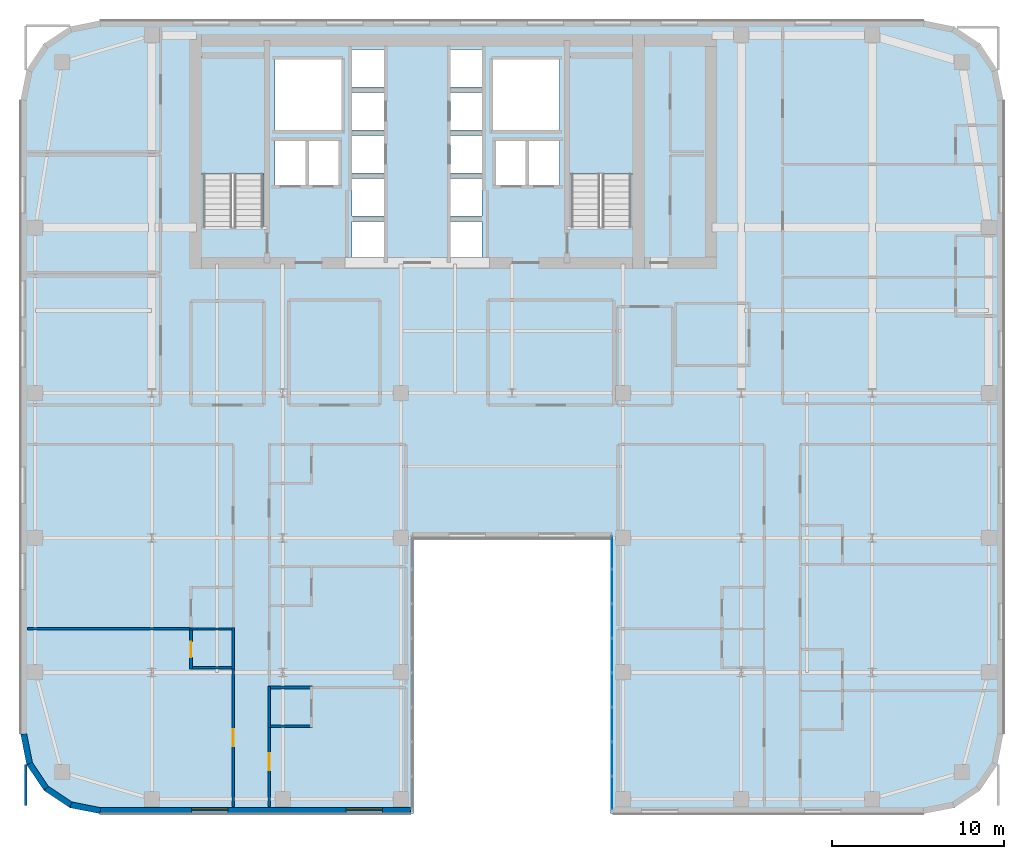
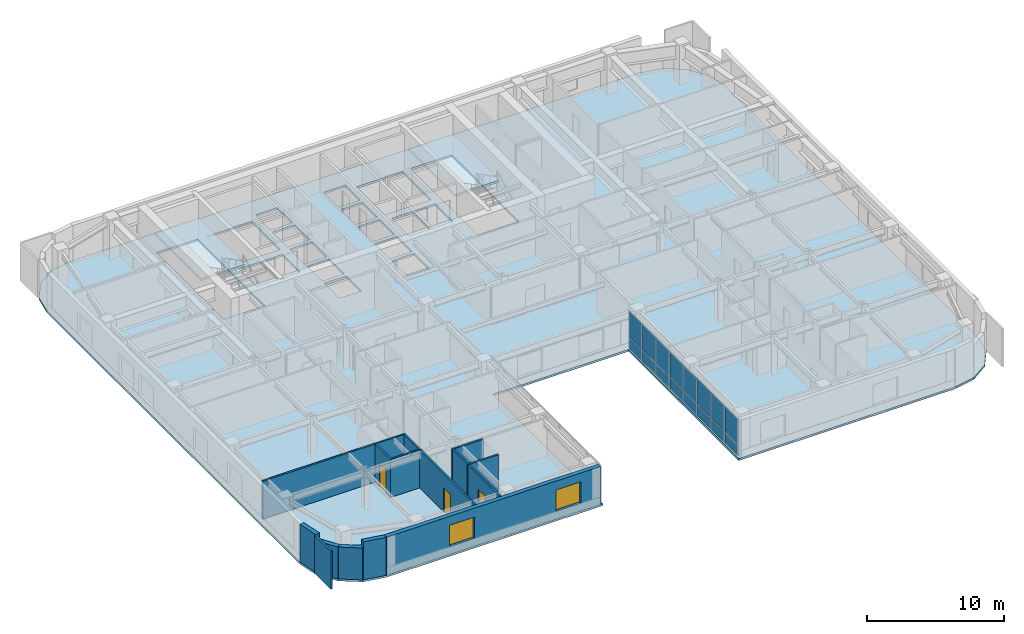
# One storey, part 13 of 24: 16 plates, 16 walls, 3 doors, 3 slabs, 2 windows, 5 openings, 3 elements without a shape of their own.
"""IFC4 building model written with IfcOpenShell, lengths in metres."""

from ifc_helpers import new_model, si_unit, direction, frame, frame_2d, origin, origin_2d, place, context, subcontext, project, spatial, polyline, rectangle, outline, extrude, source, transform, mapped, material, layer, layer_set, type_object, type_shapes, element, fill, aggregate, save


model = new_model("IFC4")

# Units and contexts
model_context = context("Model", 3, precision=1e-05, world=origin(), true_north=direction((0.0, 1.0)))
body_context = subcontext(model_context, "Body", "Model", "MODEL_VIEW")
ifc_project = project(units=[si_unit("LENGTHUNIT", "METRE"), si_unit("AREAUNIT", "SQUARE_METRE"), si_unit("VOLUMEUNIT", "CUBIC_METRE"), si_unit("PLANEANGLEUNIT", "RADIAN"), si_unit("MASSUNIT", "GRAM", prefix="KILO")], contexts=[model_context])

# Site, building, storey
site_placement = place(None, origin())
site = spatial("IfcSite", under=ifc_project, at=site_placement, CompositionType="ELEMENT")
building_placement = place(site_placement, origin())
building = spatial("IfcBuilding", under=site, at=building_placement, Name="Tolvann Quenvar Hotel", CompositionType="ELEMENT")
storey_placement = place(building_placement, frame((0.0, 0.0, 139.949951171875)))
storey = spatial("IfcBuildingStorey", under=building, at=storey_placement, Name="L36", CompositionType="ELEMENT", Elevation=139.949951171875)

# Stair, slab
ifc_material_1 = material(Name="Concrete N40 (40 MPa)", Category="concrete")
stair_type = type_object("IfcStairType", Name="STAIR", PredefinedType="HALF_TURN_STAIR", material=ifc_material_1)
stair_1_placement = place(storey_placement, origin())
stair_1 = element("IfcStair", 1, at=stair_1_placement, inside=storey, type_object=stair_type, Name="L36 ST-C1", PredefinedType="HALF_TURN_STAIR")
ifc_layer_1 = layer(ifc_material_1, 0.199951171875)
ifc_layer_set_1 = layer_set([ifc_layer_1], Name="Concrete N40 (40 MPa)")
slab_type_1 = type_object("IfcSlabType", Name="SLAB_LANDING", PredefinedType="LANDING", material=ifc_layer_set_1)
slab_1_placement = place(storey_placement, frame((0.0, 0.0, 1.574951171875)))
slab_1 = element("IfcSlab", 2, at=slab_1_placement, type_object=slab_type_1, Name="ST-C1 landing 1", PredefinedType="LANDING", context=body_context, shape_type="SweptSolid", body=[
    extrude(outline(polyline([(14.179931640625, 37.10498046875), (14.179931640625, 43.8798828125), (10.469970703125, 43.8798828125), (10.469970703125, 37.10498046875), (14.179931640625, 37.10498046875)])), origin(), (0.0, 0.0, 1.0), 0.2001953125),
])
aggregate(stair_1, [slab_1])

stair_2_placement = place(storey_placement, origin())
stair_2 = element("IfcStair", 3, at=stair_2_placement, inside=storey, type_object=stair_type, Name="L36 ST-C2", PredefinedType="HALF_TURN_STAIR")
slab_2_placement = place(storey_placement, frame((0.0, 0.0, 1.574951171875)))
slab_2 = element("IfcSlab", 4, at=slab_2_placement, type_object=slab_type_1, Name="ST-C2 landing 1", PredefinedType="LANDING", context=body_context, shape_type="SweptSolid", body=[
    extrude(outline(polyline([(35.530029296875, 37.10498046875), (35.530029296875, 43.8798828125), (31.820068359375, 43.8798828125), (31.820068359375, 37.10498046875), (35.530029296875, 37.10498046875)])), origin(), (0.0, 0.0, 1.0), 0.2001953125),
])
aggregate(stair_2, [slab_2])

# Slab
ifc_layer_2 = layer(ifc_material_1, 0.179931640625)
ifc_layer_set_2 = layer_set([ifc_layer_2], Name="Concrete N40 (40 MPa)")
slab_type_2 = type_object("IfcSlabType", Name="SLAB_TWR_180", PredefinedType="FLOOR", material=ifc_layer_set_2)
slab_3_placement = place(storey_placement, frame((0.0, 0.0, -0.179931640625)))
element("IfcSlab", 5, at=slab_3_placement, inside=storey, type_object=slab_type_2, Name="Level L36 Structural Floor Slab", PredefinedType="FLOOR", context=body_context, shape_type="SweptSolid", body=[
    extrude(outline(polyline([(0.0, 4.60009765625), (0.35009765625, 2.839599609375), (1.347412109375, 1.347412109375), (2.839599609375, 0.35009765625), (4.60009765625, 0.0), (22.800048828125, 0.0), (22.800048828125, 16.0), (34.199951171875, 16.0), (34.199951171875, 0.0), (52.39990234375, 0.0), (54.160400390625, 0.35009765625), (55.652587890625, 1.347412109375), (56.64990234375, 2.839599609375), (57.0, 4.60009765625), (57.0, 41.39990234375), (56.64990234375, 43.160400390625), (55.652587890625, 44.652587890625), (54.160400390625, 45.64990234375), (52.39990234375, 46.0), (4.60009765625, 46.0), (2.839599609375, 45.64990234375), (1.347412109375, 44.652587890625), (0.35009765625, 43.160400390625), (0.0, 41.39990234375), (0.0, 4.60009765625)]), holes=[polyline([(31.949951171875, 34.02490234375), (31.949951171875, 43.800048828125), (35.39990234375, 43.800048828125), (35.39990234375, 34.02490234375), (31.949951171875, 34.02490234375)]), polyline([(29.449951171875, 39.02001953125), (31.25, 39.02001953125), (31.25, 36.47998046875), (29.449951171875, 36.47998046875), (29.449951171875, 39.02001953125)]), polyline([(31.25, 43.75), (31.25, 39.64990234375), (27.39990234375, 39.64990234375), (27.39990234375, 43.75), (31.25, 43.75)]), polyline([(27.574951171875, 39.02001953125), (29.324951171875, 39.02001953125), (29.324951171875, 36.47998046875), (27.574951171875, 36.47998046875), (27.574951171875, 39.02001953125)]), polyline([(26.77001953125, 44.340087890625), (26.77001953125, 42.159912109375), (24.929931640625, 42.159912109375), (24.929931640625, 44.340087890625), (26.77001953125, 44.340087890625)]), polyline([(24.929931640625, 41.840087890625), (26.77001953125, 41.840087890625), (26.77001953125, 39.659912109375), (24.929931640625, 39.659912109375), (24.929931640625, 41.840087890625)]), polyline([(24.929931640625, 39.340087890625), (26.77001953125, 39.340087890625), (26.77001953125, 37.159912109375), (24.929931640625, 37.159912109375), (24.929931640625, 39.340087890625)]), polyline([(24.929931640625, 36.840087890625), (26.77001953125, 36.840087890625), (26.77001953125, 34.659912109375), (24.929931640625, 34.659912109375), (24.929931640625, 36.840087890625)]), polyline([(24.929931640625, 34.340087890625), (26.77001953125, 34.340087890625), (26.77001953125, 32.159912109375), (24.929931640625, 32.159912109375), (24.929931640625, 34.340087890625)]), polyline([(21.070068359375, 44.340087890625), (21.070068359375, 42.159912109375), (19.22998046875, 42.159912109375), (19.22998046875, 44.340087890625), (21.070068359375, 44.340087890625)]), polyline([(19.22998046875, 41.840087890625), (21.070068359375, 41.840087890625), (21.070068359375, 39.659912109375), (19.22998046875, 39.659912109375), (19.22998046875, 41.840087890625)]), polyline([(19.22998046875, 39.340087890625), (21.070068359375, 39.340087890625), (21.070068359375, 37.159912109375), (19.22998046875, 37.159912109375), (19.22998046875, 39.340087890625)]), polyline([(19.22998046875, 36.840087890625), (21.070068359375, 36.840087890625), (21.070068359375, 34.659912109375), (19.22998046875, 34.659912109375), (19.22998046875, 36.840087890625)]), polyline([(19.22998046875, 34.340087890625), (21.070068359375, 34.340087890625), (21.070068359375, 32.159912109375), (19.22998046875, 32.159912109375), (19.22998046875, 34.340087890625)]), polyline([(18.60009765625, 43.75), (18.60009765625, 39.64990234375), (14.75, 39.64990234375), (14.75, 43.75), (18.60009765625, 43.75)]), polyline([(16.675048828125, 39.02001953125), (18.425048828125, 39.02001953125), (18.425048828125, 36.47998046875), (16.675048828125, 36.47998046875), (16.675048828125, 39.02001953125)]), polyline([(14.75, 39.02001953125), (16.550048828125, 39.02001953125), (16.550048828125, 36.47998046875), (14.75, 36.47998046875), (14.75, 39.02001953125)]), polyline([(10.60009765625, 34.02490234375), (10.60009765625, 43.800048828125), (14.050048828125, 43.800048828125), (14.050048828125, 34.02490234375), (10.60009765625, 34.02490234375)])]), origin(), (0.0, 0.0, 1.0), 0.179931640625),
])

# Curtain wall, plates
ifc_material_2 = material(Name="Thermally broken anodised architectural aluminium 6063-T6 and laminated low-E glass", Category="aluminium")
ifc_layer_3 = layer(ifc_material_2, 0.179931640625)
ifc_layer_set_3 = layer_set([ifc_layer_3], Name="Thermally broken anodised architectural aluminium 6063-T6 and laminated low-E glass")
curtain_wall_type = type_object("IfcCurtainWallType", Name="CW_SYS_SLOT_03", PredefinedType="USERDEFINED", material=ifc_layer_set_3)
curtain_wall_placement = place(storey_placement, origin())
curtain_wall = element("IfcCurtainWall", 6, at=curtain_wall_placement, inside=storey, type_object=curtain_wall_type, Name="Curtain Wall CW-SLOT-03 (CWR-L36-E07)", ObjectType="UNITISED CURTAIN WALL", PredefinedType="USERDEFINED")
ifc_material_3 = material(Name="Low-iron laminated double glazing with solar-control coating", Category="glass")
ifc_layer_4 = layer(ifc_material_3, 0.028076171875)
ifc_layer_set_4 = layer_set([ifc_layer_4], Name="Low-iron laminated double glazing with solar-control coating")
plate_type = type_object("IfcPlateType", Name="CW_PAN_VISION_28", PredefinedType="CURTAIN_PANEL", material=ifc_layer_set_4)
shared_shape_1 = source(origin(), body_context, "Body", "SweptSolid", [
    extrude(rectangle(XDim=1.89501953125, YDim=0.028076171875, at=origin_2d()), origin(), (0.0, 0.0, 1.0), 0.9599609375),
])
plate_1_placement = place(storey_placement, frame((34.2900390625, 15.157470703125, 0.06005859375), z_axis=(0.0, 0.0, 1.0), x_axis=(0.0, -1.0, 0.0)))
plate_1 = element("IfcPlate", 7, at=plate_1_placement, type_object=plate_type, Name="CW-SLOT-03 panel 1.1", PredefinedType="CURTAIN_PANEL", context=body_context, shape_type="MappedRepresentation", body=[
    mapped(shared_shape_1, transform((0.0, 0.0, 0.0), x_axis=(1.0, 0.0, 0.0), y_axis=(0.0, 1.0, 0.0), z_axis=(0.0, 0.0, 1.0), scale=1.0)),
])
plate_2_placement = place(storey_placement, frame((34.2900390625, 1.1923828125, 0.06005859375), z_axis=(0.0, 0.0, 1.0), x_axis=(0.0, -1.0, 0.0)))
plate_2 = element("IfcPlate", 8, at=plate_2_placement, type_object=plate_type, Name="CW-SLOT-03 panel 8.1", PredefinedType="CURTAIN_PANEL", context=body_context, shape_type="MappedRepresentation", body=[
    mapped(shared_shape_1, transform((0.0, 0.0, 0.0), x_axis=(1.0, 0.0, 0.0), y_axis=(0.0, 1.0, 0.0), z_axis=(0.0, 0.0, 1.0), scale=1.0)),
])
shared_shape_2 = source(origin(), body_context, "Body", "SweptSolid", [
    extrude(rectangle(XDim=1.89501953125, YDim=0.028076171875, at=origin_2d()), origin(), (0.0, 0.0, 1.0), 2.22998046875),
])
plate_3_placement = place(storey_placement, frame((34.2900390625, 15.157470703125, 1.080078125), z_axis=(0.0, 0.0, 1.0), x_axis=(0.0, -1.0, 0.0)))
plate_3 = element("IfcPlate", 9, at=plate_3_placement, type_object=plate_type, Name="CW-SLOT-03 panel 1.2", PredefinedType="CURTAIN_PANEL", context=body_context, shape_type="MappedRepresentation", body=[
    mapped(shared_shape_2, transform((0.0, 0.0, 0.0), x_axis=(1.0, 0.0, 0.0), y_axis=(0.0, 1.0, 0.0), z_axis=(0.0, 0.0, 1.0), scale=1.0)),
])
plate_4_placement = place(storey_placement, frame((34.2900390625, 1.1923828125, 1.080078125), z_axis=(0.0, 0.0, 1.0), x_axis=(0.0, -1.0, 0.0)))
plate_4 = element("IfcPlate", 10, at=plate_4_placement, type_object=plate_type, Name="CW-SLOT-03 panel 8.2", PredefinedType="CURTAIN_PANEL", context=body_context, shape_type="MappedRepresentation", body=[
    mapped(shared_shape_2, transform((0.0, 0.0, 0.0), x_axis=(1.0, 0.0, 0.0), y_axis=(0.0, 1.0, 0.0), z_axis=(0.0, 0.0, 1.0), scale=1.0)),
])
shared_shape_3 = source(origin(), body_context, "Body", "SweptSolid", [
    extrude(rectangle(XDim=1.929931640625, YDim=0.028076171875, at=origin_2d()), origin(), (0.0, 0.0, 1.0), 0.9599609375),
])
plate_5_placement = place(storey_placement, frame((34.2900390625, 13.175048828125, 0.06005859375), z_axis=(0.0, 0.0, 1.0), x_axis=(0.0, -1.0, 0.0)))
plate_5 = element("IfcPlate", 11, at=plate_5_placement, type_object=plate_type, Name="CW-SLOT-03 panel 2.1", PredefinedType="CURTAIN_PANEL", context=body_context, shape_type="MappedRepresentation", body=[
    mapped(shared_shape_3, transform((0.0, 0.0, 0.0), x_axis=(1.0, 0.0, 0.0), y_axis=(0.0, 1.0, 0.0), z_axis=(0.0, 0.0, 1.0), scale=1.0)),
])
plate_6_placement = place(storey_placement, frame((34.2900390625, 11.175048828125, 0.06005859375), z_axis=(0.0, 0.0, 1.0), x_axis=(0.0, -1.0, 0.0)))
plate_6 = element("IfcPlate", 12, at=plate_6_placement, type_object=plate_type, Name="CW-SLOT-03 panel 3.1", PredefinedType="CURTAIN_PANEL", context=body_context, shape_type="MappedRepresentation", body=[
    mapped(shared_shape_3, transform((0.0, 0.0, 0.0), x_axis=(1.0, 0.0, 0.0), y_axis=(0.0, 1.0, 0.0), z_axis=(0.0, 0.0, 1.0), scale=1.0)),
])
plate_7_placement = place(storey_placement, frame((34.2900390625, 9.175048828125, 0.06005859375), z_axis=(0.0, 0.0, 1.0), x_axis=(0.0, -1.0, 0.0)))
plate_7 = element("IfcPlate", 13, at=plate_7_placement, type_object=plate_type, Name="CW-SLOT-03 panel 4.1", PredefinedType="CURTAIN_PANEL", context=body_context, shape_type="MappedRepresentation", body=[
    mapped(shared_shape_3, transform((0.0, 0.0, 0.0), x_axis=(1.0, 0.0, 0.0), y_axis=(0.0, 1.0, 0.0), z_axis=(0.0, 0.0, 1.0), scale=1.0)),
])
plate_8_placement = place(storey_placement, frame((34.2900390625, 7.175048828125, 0.06005859375), z_axis=(0.0, 0.0, 1.0), x_axis=(0.0, -1.0, 0.0)))
plate_8 = element("IfcPlate", 14, at=plate_8_placement, type_object=plate_type, Name="CW-SLOT-03 panel 5.1", PredefinedType="CURTAIN_PANEL", context=body_context, shape_type="MappedRepresentation", body=[
    mapped(shared_shape_3, transform((0.0, 0.0, 0.0), x_axis=(1.0, 0.0, 0.0), y_axis=(0.0, 1.0, 0.0), z_axis=(0.0, 0.0, 1.0), scale=1.0)),
])
plate_9_placement = place(storey_placement, frame((34.2900390625, 5.175048828125, 0.06005859375), z_axis=(0.0, 0.0, 1.0), x_axis=(0.0, -1.0, 0.0)))
plate_9 = element("IfcPlate", 15, at=plate_9_placement, type_object=plate_type, Name="CW-SLOT-03 panel 6.1", PredefinedType="CURTAIN_PANEL", context=body_context, shape_type="MappedRepresentation", body=[
    mapped(shared_shape_3, transform((0.0, 0.0, 0.0), x_axis=(1.0, 0.0, 0.0), y_axis=(0.0, 1.0, 0.0), z_axis=(0.0, 0.0, 1.0), scale=1.0)),
])
plate_10_placement = place(storey_placement, frame((34.2900390625, 3.175048828125, 0.06005859375), z_axis=(0.0, 0.0, 1.0), x_axis=(0.0, -1.0, 0.0)))
plate_10 = element("IfcPlate", 16, at=plate_10_placement, type_object=plate_type, Name="CW-SLOT-03 panel 7.1", PredefinedType="CURTAIN_PANEL", context=body_context, shape_type="MappedRepresentation", body=[
    mapped(shared_shape_3, transform((0.0, 0.0, 0.0), x_axis=(1.0, 0.0, 0.0), y_axis=(0.0, 1.0, 0.0), z_axis=(0.0, 0.0, 1.0), scale=1.0)),
])
shared_shape_4 = source(origin(), body_context, "Body", "SweptSolid", [
    extrude(rectangle(XDim=1.929931640625, YDim=0.028076171875, at=origin_2d()), origin(), (0.0, 0.0, 1.0), 2.22998046875),
])
type_shapes(plate_type, [shared_shape_1, shared_shape_2, shared_shape_3, shared_shape_4])
plate_11_placement = place(storey_placement, frame((34.2900390625, 13.175048828125, 1.080078125), z_axis=(0.0, 0.0, 1.0), x_axis=(0.0, -1.0, 0.0)))
plate_11 = element("IfcPlate", 17, at=plate_11_placement, type_object=plate_type, Name="CW-SLOT-03 panel 2.2", PredefinedType="CURTAIN_PANEL", context=body_context, shape_type="MappedRepresentation", body=[
    mapped(shared_shape_4, transform((0.0, 0.0, 0.0), x_axis=(1.0, 0.0, 0.0), y_axis=(0.0, 1.0, 0.0), z_axis=(0.0, 0.0, 1.0), scale=1.0)),
])
plate_12_placement = place(storey_placement, frame((34.2900390625, 11.175048828125, 1.080078125), z_axis=(0.0, 0.0, 1.0), x_axis=(0.0, -1.0, 0.0)))
plate_12 = element("IfcPlate", 18, at=plate_12_placement, type_object=plate_type, Name="CW-SLOT-03 panel 3.2", PredefinedType="CURTAIN_PANEL", context=body_context, shape_type="MappedRepresentation", body=[
    mapped(shared_shape_4, transform((0.0, 0.0, 0.0), x_axis=(1.0, 0.0, 0.0), y_axis=(0.0, 1.0, 0.0), z_axis=(0.0, 0.0, 1.0), scale=1.0)),
])
plate_13_placement = place(storey_placement, frame((34.2900390625, 9.175048828125, 1.080078125), z_axis=(0.0, 0.0, 1.0), x_axis=(0.0, -1.0, 0.0)))
plate_13 = element("IfcPlate", 19, at=plate_13_placement, type_object=plate_type, Name="CW-SLOT-03 panel 4.2", PredefinedType="CURTAIN_PANEL", context=body_context, shape_type="MappedRepresentation", body=[
    mapped(shared_shape_4, transform((0.0, 0.0, 0.0), x_axis=(1.0, 0.0, 0.0), y_axis=(0.0, 1.0, 0.0), z_axis=(0.0, 0.0, 1.0), scale=1.0)),
])
plate_14_placement = place(storey_placement, frame((34.2900390625, 7.175048828125, 1.080078125), z_axis=(0.0, 0.0, 1.0), x_axis=(0.0, -1.0, 0.0)))
plate_14 = element("IfcPlate", 20, at=plate_14_placement, type_object=plate_type, Name="CW-SLOT-03 panel 5.2", PredefinedType="CURTAIN_PANEL", context=body_context, shape_type="MappedRepresentation", body=[
    mapped(shared_shape_4, transform((0.0, 0.0, 0.0), x_axis=(1.0, 0.0, 0.0), y_axis=(0.0, 1.0, 0.0), z_axis=(0.0, 0.0, 1.0), scale=1.0)),
])
plate_15_placement = place(storey_placement, frame((34.2900390625, 5.175048828125, 1.080078125), z_axis=(0.0, 0.0, 1.0), x_axis=(0.0, -1.0, 0.0)))
plate_15 = element("IfcPlate", 21, at=plate_15_placement, type_object=plate_type, Name="CW-SLOT-03 panel 6.2", PredefinedType="CURTAIN_PANEL", context=body_context, shape_type="MappedRepresentation", body=[
    mapped(shared_shape_4, transform((0.0, 0.0, 0.0), x_axis=(1.0, 0.0, 0.0), y_axis=(0.0, 1.0, 0.0), z_axis=(0.0, 0.0, 1.0), scale=1.0)),
])
plate_16_placement = place(storey_placement, frame((34.2900390625, 3.175048828125, 1.080078125), z_axis=(0.0, 0.0, 1.0), x_axis=(0.0, -1.0, 0.0)))
plate_16 = element("IfcPlate", 22, at=plate_16_placement, type_object=plate_type, Name="CW-SLOT-03 panel 7.2", PredefinedType="CURTAIN_PANEL", context=body_context, shape_type="MappedRepresentation", body=[
    mapped(shared_shape_4, transform((0.0, 0.0, 0.0), x_axis=(1.0, 0.0, 0.0), y_axis=(0.0, 1.0, 0.0), z_axis=(0.0, 0.0, 1.0), scale=1.0)),
])
aggregate(curtain_wall, [plate_1, plate_3, plate_5, plate_11, plate_6, plate_12, plate_7, plate_13, plate_8, plate_14, plate_9, plate_15, plate_10, plate_16, plate_2, plate_4])

# Walls
ifc_material_4 = material(Name="Kiln-fired red and buff architectural clay brickwork and terracotta masonry", Category="masonry")
ifc_layer_5 = layer(ifc_material_4, 0.35009765625)
ifc_layer_set_5 = layer_set([ifc_layer_5], Name="Kiln-fired red and buff architectural clay brickwork and terracotta masonry")
wall_type_1 = type_object("IfcWallType", Name="WALL_EXT_BRICK_350", PredefinedType="SOLIDWALL", material=ifc_layer_set_5)
for number, where, z_axis, x_axis, name in (
    (23, (0.514892578125, 2.907958984375, 0.0), (0.0, 0.0, 1.0), (0.55554893791, -0.831483840845, 0.0), "Exterior Chicago Brick Wall L36-E01"),
    (24, (1.473388671875, 1.473388671875, 0.0), (0.0, 0.0, 1.0), (0.831483840845, -0.55554893791, 0.0), "Exterior Chicago Brick Wall L36-E02"),
):
    element("IfcWall", number, at=place(storey_placement, frame(where, z_axis=z_axis, x_axis=x_axis)), inside=storey, type_object=wall_type_1, Name=name, PredefinedType="SOLIDWALL", context=body_context, shape_type="SweptSolid", body=[
        extrude(rectangle(XDim=1.725341796875, YDim=0.35009765625, at=frame_2d((0.86279296875, 0.0))), origin(), (0.0, 0.0, 1.0), 2.83203125),
    ])
wall_1_placement = place(storey_placement, frame((2.907958984375, 0.514892578125, 0.0), z_axis=(0.0, 0.0, 1.0), x_axis=(0.980800971659, -0.195011420161, 0.0)))
element("IfcWall", 25, at=wall_1_placement, inside=storey, type_object=wall_type_1, Name="Exterior Chicago Brick Wall L36-E03", PredefinedType="SOLIDWALL", context=body_context, shape_type="SweptSolid", body=[
    extrude(rectangle(XDim=1.74267578125, YDim=0.35009765625, at=frame_2d((0.871337890625, 0.0))), origin(), (0.0, 0.0, 1.0), 3.3701171875),
])

# Wall, openings, windows
wall_2_placement = place(storey_placement, frame((4.6171875, 0.175048828125, 0.0), z_axis=(0.0, 0.0, 1.0), x_axis=(1.0, 0.0, 0.0)))
wall_2 = element("IfcWall", 26, at=wall_2_placement, inside=storey, type_object=wall_type_1, Name="Exterior Chicago Brick Wall L36-E04", PredefinedType="SOLIDWALL", context=body_context, shape_type="SweptSolid", body=[
    extrude(rectangle(XDim=18.0078125, YDim=0.35009765625, at=frame_2d((9.00390625, 0.0))), origin(), (0.0, 0.0, 1.0), 3.3701171875),
])
opening_1_placement = place(wall_2_placement, frame((5.302978515625, 0.0, 0.679931640625)))
opening_1 = element("IfcOpeningElement", 27, at=opening_1_placement, cuts=wall_2, Name="Opening W-02", PredefinedType="OPENING", context=body_context, shape_type="SweptSolid", body=[
    extrude(rectangle(XDim=2.10009765625, YDim=1.89990234375, at=frame_2d((1.050048828125, 0.949951171875))), frame((0.0, 0.18505859375, 0.0), z_axis=(0.0, -1.0, 0.0), x_axis=(1.0, 0.0, 0.0)), (0.0, 0.0, 1.0), 0.3701171875),
])
opening_2_placement = place(wall_2_placement, frame((14.257080078125, 0.0, 0.679931640625)))
opening_2 = element("IfcOpeningElement", 28, at=opening_2_placement, cuts=wall_2, Name="Opening W-02", PredefinedType="OPENING", context=body_context, shape_type="SweptSolid", body=[
    extrude(rectangle(XDim=2.10009765625, YDim=1.89990234375, at=frame_2d((1.050048828125, 0.949951171875))), frame((0.0, 0.18505859375, 0.0), z_axis=(0.0, -1.0, 0.0), x_axis=(1.0, 0.0, 0.0)), (0.0, 0.0, 1.0), 0.3701171875),
])
ifc_material_5 = material(Name="Thermally broken bronze-anodised aluminium frame with double low-E glazing", Category="aluminium")
window_type = type_object("IfcWindowType", Name="WIN_CHI_2100x2050", PartitioningType="TRIPLE_PANEL_HORIZONTAL", PredefinedType="WINDOW", material=ifc_material_5)
shared_shape_5 = source(origin(), body_context, "Body", "SweptSolid", [
    extrude(rectangle(XDim=2.10009765625, YDim=1.89990234375, at=frame_2d((1.050048828125, 0.949951171875))), frame((0.0, 0.090087890625, 0.0), z_axis=(0.0, -1.0, 0.0), x_axis=(1.0, 0.0, 0.0)), (0.0, 0.0, 1.0), 0.06005859375),
])
type_shapes(window_type, [shared_shape_5])
window_1_placement = place(opening_1_placement, origin())
window_1 = element("IfcWindow", 29, at=window_1_placement, inside=storey, type_object=window_type, Name="Chicago Window W-02 (EW-L36-E04-W01)", OverallHeight=1.89990234375, OverallWidth=2.10009765625, PartitioningType="TRIPLE_PANEL_HORIZONTAL", PredefinedType="WINDOW", context=body_context, shape_type="MappedRepresentation", body=[
    mapped(shared_shape_5, transform((0.0, 0.0, 0.0), x_axis=(1.0, 0.0, 0.0), y_axis=(0.0, 1.0, 0.0), z_axis=(0.0, 0.0, 1.0), scale=1.0)),
])
fill(opening_1, window_1)
window_2_placement = place(opening_2_placement, origin())
window_2 = element("IfcWindow", 30, at=window_2_placement, inside=storey, type_object=window_type, Name="Chicago Window W-02 (EW-L36-E04-W02)", OverallHeight=1.89990234375, OverallWidth=2.10009765625, PartitioningType="TRIPLE_PANEL_HORIZONTAL", PredefinedType="WINDOW", context=body_context, shape_type="MappedRepresentation", body=[
    mapped(shared_shape_5, transform((0.0, 0.0, 0.0), x_axis=(1.0, 0.0, 0.0), y_axis=(0.0, 1.0, 0.0), z_axis=(0.0, 0.0, 1.0), scale=1.0)),
])
fill(opening_2, window_2)

# Walls
wall_3_placement = place(storey_placement, frame((0.175048828125, 4.6171875, 0.0), z_axis=(0.0, 0.0, 1.0), x_axis=(0.195011420161, -0.980800971659, 0.0)))
element("IfcWall", 31, at=wall_3_placement, inside=storey, type_object=wall_type_1, Name="Exterior Chicago Brick Wall L36-E24", PredefinedType="SOLIDWALL", context=body_context, shape_type="SweptSolid", body=[
    extrude(rectangle(XDim=1.74267578125, YDim=0.35009765625, at=frame_2d((0.871337890625, 0.0))), origin(), (0.0, 0.0, 1.0), 3.3701171875),
])
ifc_material_6 = material(Name="Moisture-resistant acoustic plumbing wall assembly")
ifc_layer_6 = layer(ifc_material_6, 0.1201171875)
ifc_layer_set_6 = layer_set([ifc_layer_6], Name="Moisture-resistant acoustic plumbing wall assembly")
wall_type_2 = type_object("IfcWallType", Name="WALL_PART_BATH_120", PredefinedType="PLUMBINGWALL", material=ifc_layer_set_6)
wall_4_placement = place(storey_placement, frame((9.81005859375, 10.719970703125, 0.0), z_axis=(0.0, 0.0, 1.0), x_axis=(1.0, 0.0, 0.0)))
element("IfcWall", 32, at=wall_4_placement, inside=storey, type_object=wall_type_2, Name="Non-Rated Plumbing Partition PT-SPC-L36-ENS-WO01-N", PredefinedType="PLUMBINGWALL", context=body_context, shape_type="SweptSolid", body=[
    extrude(rectangle(XDim=2.58984375, YDim=0.1201171875, at=frame_2d((1.294921875, 0.0))), origin(), (0.0, 0.0, 1.0), 3.3701171875),
])
wall_5_placement = place(storey_placement, frame((12.330078125, 8.39990234375, 0.0), z_axis=(0.0, 0.0, 1.0), x_axis=(0.0, 1.0, 0.0)))
element("IfcWall", 33, at=wall_5_placement, inside=storey, type_object=wall_type_2, Name="Non-Rated Plumbing Partition PT-SPC-L36-ENS-WO01-E", PredefinedType="PLUMBINGWALL", context=body_context, shape_type="SweptSolid", body=[
    extrude(rectangle(XDim=2.39013671875, YDim=0.1201171875, at=frame_2d((1.195068359375, 0.0))), origin(), (0.0, 0.0, 1.0), 3.3701171875),
])
wall_6_placement = place(storey_placement, frame((14.419921875, 5.0, 0.0), z_axis=(0.0, 0.0, 1.0), x_axis=(0.0, 1.0, 0.0)))
element("IfcWall", 34, at=wall_6_placement, inside=storey, type_object=wall_type_2, Name="Non-Rated Plumbing Partition PT-SPC-L36-ENS-WI01-W", PredefinedType="PLUMBINGWALL", context=body_context, shape_type="SweptSolid", body=[
    extrude(rectangle(XDim=2.389892578125, YDim=0.1201171875, at=frame_2d((1.19482421875, 0.0))), origin(), (0.0, 0.0, 1.0), 3.3701171875),
])

# Wall, opening, door
ifc_material_7 = material(Name="Acoustic twin-stud fire-rated gypsum plasterboard partition")
ifc_layer_7 = layer(ifc_material_7, 0.14990234375)
ifc_layer_set_7 = layer_set([ifc_layer_7], Name="Acoustic twin-stud fire-rated gypsum plasterboard partition")
wall_type_3 = type_object("IfcWallType", Name="WALL_PART_SUITE_150", PredefinedType="PARTITIONING", material=ifc_layer_set_7)
wall_7_placement = place(storey_placement, frame((9.8798828125, 8.39990234375, 0.0), z_axis=(0.0, 0.0, 1.0), x_axis=(0.0, 1.0, 0.0)))
wall_7 = element("IfcWall", 35, at=wall_7_placement, inside=storey, type_object=wall_type_3, Name="Interior Partition PT-SPC-L36-ENS-WO01-ENT", PredefinedType="PARTITIONING", context=body_context, shape_type="SweptSolid", body=[
    extrude(rectangle(XDim=2.39013671875, YDim=0.14990234375, at=frame_2d((1.195068359375, 0.0))), origin(), (0.0, 0.0, 1.0), 3.3701171875),
])
opening_3_placement = place(wall_7_placement, frame((0.6650390625, 0.0, 0.0)))
opening_3 = element("IfcOpeningElement", 36, at=opening_3_placement, cuts=wall_7, Name="Opening WD-01", PredefinedType="OPENING", context=body_context, shape_type="SweptSolid", body=[
    extrude(rectangle(XDim=0.919921875, YDim=2.010009765625, at=frame_2d((0.4599609375, 1.0048828125))), frame((0.0, 0.0849609375, 0.0), z_axis=(0.0, -1.0, 0.0), x_axis=(1.0, 0.0, 0.0)), (0.0, 0.0, 1.0), 0.169921875),
])
ifc_material_8 = material(Name="Solid-core American oak acoustic fire door leaf in steel frame", Category="steel")
door_type_1 = type_object("IfcDoorType", Name="DOOR_WC_920", OperationType="NOTDEFINED", PredefinedType="DOOR", material=ifc_material_8)
shared_shape_6 = source(origin(), body_context, "Body", "SweptSolid", [
    extrude(rectangle(XDim=0.919921875, YDim=2.010009765625, at=frame_2d((0.4599609375, 1.0048828125))), frame((0.0, 0.02490234375, 0.0), z_axis=(0.0, -1.0, 0.0), x_axis=(1.0, 0.0, 0.0)), (0.0, 0.0, 1.0), 0.050048828125),
])
type_shapes(door_type_1, [shared_shape_6])
door_1_placement = place(opening_3_placement, origin())
door_1 = element("IfcDoor", 37, at=door_1_placement, inside=storey, type_object=door_type_1, Name="Interior Door DOOR-SPC-L36-ENS-WO01", OperationType="SINGLE_SWING_RIGHT", OverallHeight=2.010009765625, OverallWidth=0.919921875, PredefinedType="DOOR", context=body_context, shape_type="MappedRepresentation", body=[
    mapped(shared_shape_6, transform((0.0, 0.0, 0.0), x_axis=(1.0, 0.0, 0.0), y_axis=(0.0, 1.0, 0.0), z_axis=(0.0, 0.0, 1.0), scale=1.0)),
])
fill(opening_3, door_1)

# Walls
for number, where, z_axis, x_axis, name in (
    (38, (9.81005859375, 8.469970703125, 0.0), (0.0, 0.0, 1.0), (1.0, 0.0, 0.0), "Interior Partition PT-SPC-L36-ENS-WO01-S"),
    (39, (14.35009765625, 5.070068359375, 0.0), (0.0, 0.0, 1.0), (1.0, 0.0, 0.0), "Interior Partition PT-SPC-L36-ENS-WI01-S"),
    (40, (14.35009765625, 7.320068359375, 0.0), (0.0, 0.0, 1.0), (1.0, 0.0, 0.0), "Interior Partition PT-SPC-L36-ENS-WI01-N"),
):
    element("IfcWall", number, at=place(storey_placement, frame(where, z_axis=z_axis, x_axis=x_axis)), inside=storey, type_object=wall_type_3, Name=name, PredefinedType="PARTITIONING", context=body_context, shape_type="SweptSolid", body=[
        extrude(rectangle(XDim=2.58984375, YDim=0.14990234375, at=frame_2d((1.294921875, 0.0))), origin(), (0.0, 0.0, 1.0), 3.3701171875),
    ])

# Wall, opening, door
wall_8_placement = place(storey_placement, frame((12.330078125, 0.405029296875, 0.0), z_axis=(0.0, 0.0, 1.0), x_axis=(0.0, 1.0, 0.0)))
wall_8 = element("IfcWall", 41, at=wall_8_placement, inside=storey, type_object=wall_type_3, Name="Interior Partition PT-SPC-L36-RM-WO01-ENT", PredefinedType="PARTITIONING", context=body_context, shape_type="SweptSolid", body=[
    extrude(rectangle(XDim=7.98486328125, YDim=0.14990234375, at=frame_2d((3.992431640625, 0.0))), origin(), (0.0, 0.0, 1.0), 3.3701171875),
])
opening_4_placement = place(wall_8_placement, frame((3.510009765625, 0.0, 0.0)))
opening_4 = element("IfcOpeningElement", 42, at=opening_4_placement, cuts=wall_8, Name="Opening SD-01", PredefinedType="OPENING", context=body_context, shape_type="SweptSolid", body=[
    extrude(rectangle(XDim=0.97998046875, YDim=2.1201171875, at=frame_2d((0.489990234375, 1.06005859375))), frame((0.0, 0.0849609375, 0.0), z_axis=(0.0, -1.0, 0.0), x_axis=(1.0, 0.0, 0.0)), (0.0, 0.0, 1.0), 0.169921875),
])
door_type_2 = type_object("IfcDoorType", Name="DOOR_SUITE_980", OperationType="NOTDEFINED", PredefinedType="DOOR", material=ifc_material_8)
shared_shape_7 = source(origin(), body_context, "Body", "SweptSolid", [
    extrude(rectangle(XDim=0.97998046875, YDim=2.1201171875, at=frame_2d((0.489990234375, 1.06005859375))), frame((0.0, 0.02490234375, 0.0), z_axis=(0.0, -1.0, 0.0), x_axis=(1.0, 0.0, 0.0)), (0.0, 0.0, 1.0), 0.050048828125),
])
type_shapes(door_type_2, [shared_shape_7])
door_2_placement = place(opening_4_placement, origin())
door_2 = element("IfcDoor", 43, at=door_2_placement, inside=storey, type_object=door_type_2, Name="Interior Door DOOR-SPC-L36-RM-WO01", OperationType="SINGLE_SWING_LEFT", OverallHeight=2.1201171875, OverallWidth=0.97998046875, PredefinedType="DOOR", context=body_context, shape_type="MappedRepresentation", body=[
    mapped(shared_shape_7, transform((0.0, 0.0, 0.0), x_axis=(1.0, 0.0, 0.0), y_axis=(0.0, 1.0, 0.0), z_axis=(0.0, 0.0, 1.0), scale=1.0)),
])
fill(opening_4, door_2)

# Walls
wall_9_placement = place(storey_placement, frame((0.405029296875, 10.719970703125, 0.0), z_axis=(0.0, 0.0, 1.0), x_axis=(1.0, 0.0, 0.0)))
element("IfcWall", 44, at=wall_9_placement, inside=storey, type_object=wall_type_3, Name="Interior Partition PT-SPC-L36-RM-WO01-E5", PredefinedType="PARTITIONING", context=body_context, shape_type="SweptSolid", body=[
    extrude(rectangle(XDim=9.455078125, YDim=0.14990234375, at=frame_2d((4.7275390625, 0.0))), origin(), (0.0, 0.0, 1.0), 3.3701171875),
])
wall_10_placement = place(storey_placement, frame((0.300048828125, 0.47998046875, 0.0), z_axis=(0.0, 0.0, 1.0), x_axis=(0.0, 1.0, 0.0)))
element("IfcWall", 45, at=wall_10_placement, inside=storey, type_object=wall_type_3, Name="Interior Partition PT-SPC-L36-RM-WO01-E6", PredefinedType="PARTITIONING", context=body_context, shape_type="SweptSolid", body=[
    extrude(rectangle(XDim=2.385009765625, YDim=0.14990234375, at=frame_2d((1.1923828125, 0.0))), origin(), (0.0, 0.0, 1.0), 3.3701171875),
])

# Wall, opening, door
wall_11_placement = place(storey_placement, frame((14.419921875, 0.405029296875, 0.0), z_axis=(0.0, 0.0, 1.0), x_axis=(0.0, 1.0, 0.0)))
wall_11 = element("IfcWall", 46, at=wall_11_placement, inside=storey, type_object=wall_type_3, Name="Interior Partition PT-SPC-L36-RM-WI01-ENT", PredefinedType="PARTITIONING", context=body_context, shape_type="SweptSolid", body=[
    extrude(rectangle(XDim=4.5849609375, YDim=0.14990234375, at=frame_2d((2.29248046875, 0.0))), origin(), (0.0, 0.0, 1.0), 3.3701171875),
])
opening_5_placement = place(wall_11_placement, frame((2.110107421875, 0.0, 0.0)))
opening_5 = element("IfcOpeningElement", 47, at=opening_5_placement, cuts=wall_11, Name="Opening SD-01", PredefinedType="OPENING", context=body_context, shape_type="SweptSolid", body=[
    extrude(rectangle(XDim=0.97998046875, YDim=2.1201171875, at=frame_2d((0.489990234375, 1.06005859375))), frame((0.0, 0.0849609375, 0.0), z_axis=(0.0, -1.0, 0.0), x_axis=(1.0, 0.0, 0.0)), (0.0, 0.0, 1.0), 0.169921875),
])
door_3_placement = place(opening_5_placement, origin())
door_3 = element("IfcDoor", 48, at=door_3_placement, inside=storey, type_object=door_type_2, Name="Interior Door DOOR-SPC-L36-RM-WI01", OperationType="SINGLE_SWING_LEFT", OverallHeight=2.1201171875, OverallWidth=0.97998046875, PredefinedType="DOOR", context=body_context, shape_type="MappedRepresentation", body=[
    mapped(shared_shape_7, transform((0.0, 0.0, 0.0), x_axis=(1.0, 0.0, 0.0), y_axis=(0.0, 1.0, 0.0), z_axis=(0.0, 0.0, 1.0), scale=1.0)),
])
fill(opening_5, door_3)

save(model, "model.ifc")
